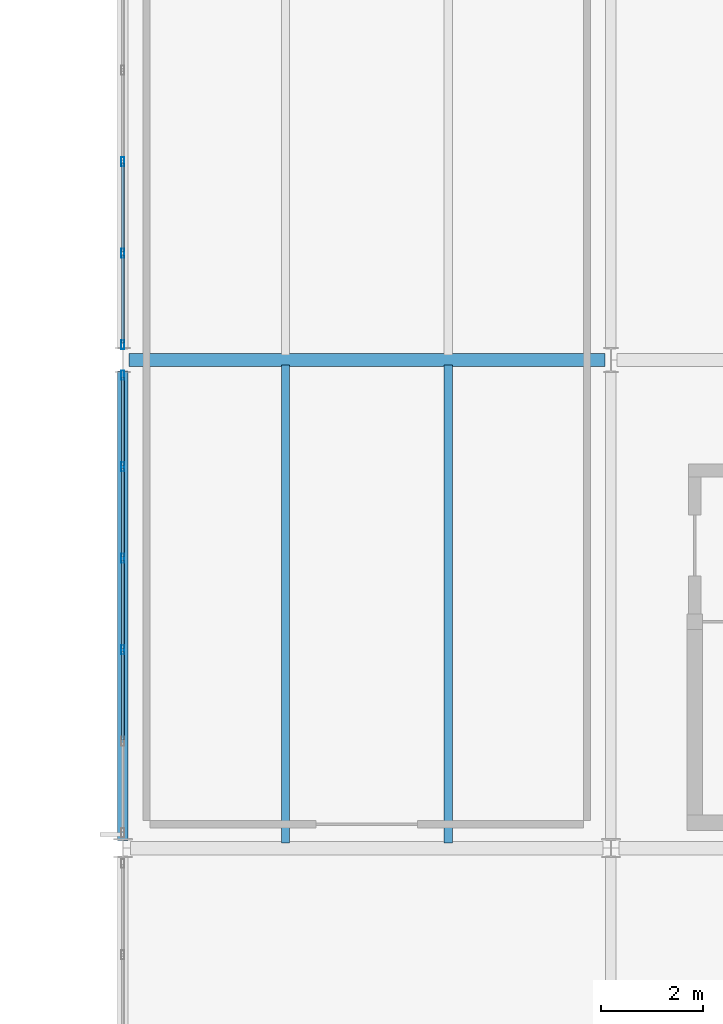
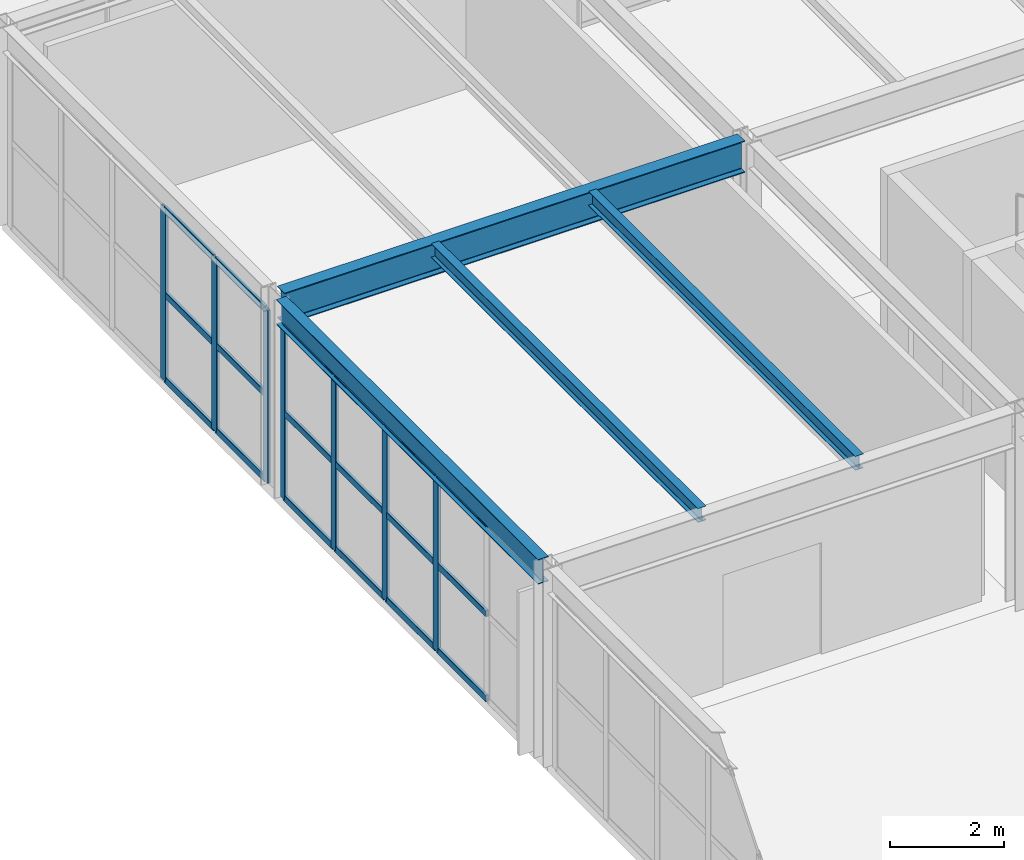
# One storey, part 86 of 170: 25 members, 4 beams, 2 elements without a shape of their own.
"""IFC4 building model written with IfcOpenShell, lengths in metres."""

from ifc_helpers import new_model, si_unit, direction, frame, origin, origin_2d, place, context, subcontext, project, spatial, hollow_rectangle, i_section, extrude, material, material_profile, profile_set, type_object, element, aggregate, save


model = new_model("IFC4")

# Units and contexts
model_context = context("Model", 3, precision=1e-05, world=origin(), true_north=direction((0.0, 1.0)))
body_context = subcontext(model_context, "Body", "Model", "MODEL_VIEW")
ifc_project = project(units=[si_unit("LENGTHUNIT", "METRE"), si_unit("AREAUNIT", "SQUARE_METRE"), si_unit("VOLUMEUNIT", "CUBIC_METRE"), si_unit("PLANEANGLEUNIT", "RADIAN"), si_unit("MASSUNIT", "GRAM", prefix="KILO")], contexts=[model_context])

# Site, building, storey
site_placement = place(None, origin())
site = spatial("IfcSite", under=ifc_project, at=site_placement, CompositionType="ELEMENT")
building_placement = place(site_placement, origin())
building = spatial("IfcBuilding", under=site, at=building_placement, Name="Coralgate Yard Interchange", CompositionType="ELEMENT")
storey_placement = place(building_placement, frame((0.0, 0.0, 6.0)))
storey = spatial("IfcBuildingStorey", under=building, at=storey_placement, Name="L01", CompositionType="ELEMENT", Elevation=6.0)

# Beams
ifc_material_1 = material(Name="Structural steel S355J2", Category="steel")
ifc_material_profile_1 = material_profile(ifc_material_1, i_section(OverallWidth=0.209228515625, OverallDepth=0.533203125, WebThickness=0.010009765625, FlangeThickness=0.015625, FilletRadius=0.0126953125, at=origin_2d()), Name="UB 533x210x92")
ifc_profile_set_1 = profile_set([ifc_material_profile_1], Name="Structural steel S355J2")
beam_type_1 = type_object("IfcBeamType", Name="BM-SB-1", PredefinedType="BEAM", material=ifc_profile_set_1)
beam_1_placement = place(storey_placement, frame((38.39990234375, 76.9541015625, 3.9833984375), z_axis=(0.0, 1.0, 0.0), x_axis=(-1.0, 0.0, 0.0)))
element("IfcBeam", 1, at=beam_1_placement, inside=storey, type_object=beam_type_1, Name="L01 primary grid girder X4 Y8-9", PredefinedType="BEAM", context=body_context, shape_type="SweptSolid", body=[
    extrude(i_section(OverallWidth=0.209228515625, OverallDepth=0.533203125, WebThickness=0.010009765625, FlangeThickness=0.015625, FilletRadius=0.0126953125, at=origin_2d()), origin(), (0.0, 0.0, 1.0), 9.225830078125),
])
ifc_material_profile_2 = material_profile(ifc_material_1, i_section(OverallWidth=0.253662109375, OverallDepth=0.68359375, WebThickness=0.012451171875, FlangeThickness=0.01904296875, FilletRadius=0.01513671875, at=origin_2d()), Name="UB 686x254x140")
ifc_profile_set_2 = profile_set([ifc_material_profile_2], Name="Structural steel S355J2")
beam_type_2 = type_object("IfcBeamType", Name="BM-SG-4", PredefinedType="BEAM", material=ifc_profile_set_2)
beam_2_placement = place(storey_placement, frame((38.52001953125, 86.39990234375, 3.908203125), z_axis=(1.0, 0.0, 0.0), x_axis=(0.0, 1.0, 0.0)))
element("IfcBeam", 2, at=beam_2_placement, inside=storey, type_object=beam_type_2, Name="L01 primary grid beam Y9 X4-5", PredefinedType="BEAM", context=body_context, shape_type="SweptSolid", body=[
    extrude(i_section(OverallWidth=0.253662109375, OverallDepth=0.68359375, WebThickness=0.012451171875, FlangeThickness=0.01904296875, FilletRadius=0.01513671875, at=origin_2d()), origin(), (0.0, 0.0, 1.0), 9.35986328125),
])
ifc_material_profile_3 = material_profile(ifc_material_1, i_section(OverallWidth=0.1650390625, OverallDepth=0.303466796875, WebThickness=0.006103515625, FlangeThickness=0.01025390625, FilletRadius=0.0087890625, at=origin_2d()), Name="UB 305x165x40")
ifc_profile_set_3 = profile_set([ifc_material_profile_3], Name="Structural steel S355J2")
beam_type_3 = type_object("IfcBeamType", Name="BM-SJ-1", PredefinedType="JOIST", material=ifc_profile_set_3)
for number, where, z_axis, x_axis, name in (
    (3, (41.60009765625, 76.9033203125, 4.098388671875), (0.0, 1.0, 0.0), (-1.0, 0.0, 0.0), "L01 composite floor joist 4-8-1"),
    (4, (44.800048828125, 76.9033203125, 4.098388671875), (0.0, 1.0, 0.0), (-1.0, 0.0, 0.0), "L01 composite floor joist 4-8-2"),
):
    element("IfcBeam", number, at=place(storey_placement, frame(where, z_axis=z_axis, x_axis=x_axis)), inside=storey, type_object=beam_type_3, Name=name, PredefinedType="JOIST", context=body_context, shape_type="SweptSolid", body=[
        extrude(i_section(OverallWidth=0.1650390625, OverallDepth=0.303466796875, WebThickness=0.006103515625, FlangeThickness=0.01025390625, FilletRadius=0.0087890625, at=origin_2d()), origin(), (0.0, 0.0, 1.0), 9.399658203125),
    ])

# Curtain wall, members
ifc_material_2 = material(Name="Anodised coastal aluminium and solar-control low-E glass", Category="aluminium")
curtain_wall_type_1 = type_object("IfcCurtainWallType", Name="CW-CW-L01-B", PredefinedType="NOTDEFINED", material=ifc_material_2)
curtain_wall_1_placement = place(storey_placement, origin())
curtain_wall_1 = element("IfcCurtainWall", 5, at=curtain_wall_1_placement, inside=storey, type_object=curtain_wall_type_1, Name="L01 unitised curtain wall CW-L01-W-04-08", PredefinedType="NOTDEFINED")
ifc_material_3 = material(Name="Anodised coastal aluminium 6063-T6", Category="aluminium")
ifc_material_profile_4 = material_profile(ifc_material_3, hollow_rectangle(XDim=0.06005859375, YDim=0.179931640625, WallThickness=0.00390625, InnerFilletRadius=0.00390625, OuterFilletRadius=0.008056640625, at=origin_2d()), Name="ALU 60x180x4")
ifc_profile_set_4 = profile_set([ifc_material_profile_4], Name="Anodised coastal aluminium 6063-T6")
member_type_1 = type_object("IfcMemberType", Name="MB-MUL-180", PredefinedType="MULLION", material=ifc_profile_set_4)
member_1_placement = place(storey_placement, frame((38.39990234375, 80.699951171875, 0.0), z_axis=(0.0, 0.0, 1.0), x_axis=(1.0, 0.0, 0.0)))
member_1 = element("IfcMember", 6, at=member_1_placement, type_object=member_type_1, Name="CW-L01-W-04-08 vertical mullion 3", PredefinedType="MULLION", context=body_context, shape_type="SweptSolid", body=[
    extrude(hollow_rectangle(XDim=0.06005859375, YDim=0.179931640625, WallThickness=0.00390625, InnerFilletRadius=0.00390625, OuterFilletRadius=0.008056640625, at=origin_2d()), origin(), (0.0, 0.0, 1.0), 3.716796875),
])
member_2_placement = place(storey_placement, frame((38.39990234375, 82.5, 0.0), z_axis=(0.0, 0.0, 1.0), x_axis=(1.0, 0.0, 0.0)))
member_2 = element("IfcMember", 7, at=member_2_placement, type_object=member_type_1, Name="CW-L01-W-04-08 vertical mullion 4", PredefinedType="MULLION", context=body_context, shape_type="SweptSolid", body=[
    extrude(hollow_rectangle(XDim=0.06005859375, YDim=0.179931640625, WallThickness=0.00390625, InnerFilletRadius=0.00390625, OuterFilletRadius=0.008056640625, at=origin_2d()), origin(), (0.0, 0.0, 1.0), 3.716796875),
])
member_3_placement = place(storey_placement, frame((38.39990234375, 84.300048828125, 0.0), z_axis=(0.0, 0.0, 1.0), x_axis=(1.0, 0.0, 0.0)))
member_3 = element("IfcMember", 8, at=member_3_placement, type_object=member_type_1, Name="CW-L01-W-04-08 vertical mullion 5", PredefinedType="MULLION", context=body_context, shape_type="SweptSolid", body=[
    extrude(hollow_rectangle(XDim=0.06005859375, YDim=0.179931640625, WallThickness=0.00390625, InnerFilletRadius=0.00390625, OuterFilletRadius=0.008056640625, at=origin_2d()), origin(), (0.0, 0.0, 1.0), 3.716796875),
])
member_4_placement = place(storey_placement, frame((38.39990234375, 86.10009765625, 0.0), z_axis=(0.0, 0.0, 1.0), x_axis=(1.0, 0.0, 0.0)))
member_4 = element("IfcMember", 9, at=member_4_placement, type_object=member_type_1, Name="CW-L01-W-04-08 vertical mullion 6", PredefinedType="MULLION", context=body_context, shape_type="SweptSolid", body=[
    extrude(hollow_rectangle(XDim=0.06005859375, YDim=0.179931640625, WallThickness=0.00390625, InnerFilletRadius=0.00390625, OuterFilletRadius=0.008056640625, at=origin_2d()), origin(), (0.0, 0.0, 1.0), 3.716796875),
])

curtain_wall_type_2 = type_object("IfcCurtainWallType", Name="CW-CW-L01-A", PredefinedType="NOTDEFINED", material=ifc_material_2)
curtain_wall_2_placement = place(storey_placement, origin())
curtain_wall_2 = element("IfcCurtainWall", 10, at=curtain_wall_2_placement, inside=storey, type_object=curtain_wall_type_2, Name="L01 unitised curtain wall CW-L01-W-04-09", PredefinedType="NOTDEFINED")
member_5_placement = place(storey_placement, frame((38.39990234375, 86.699951171875, 0.0), z_axis=(0.0, 0.0, 1.0), x_axis=(1.0, 0.0, 0.0)))
member_5 = element("IfcMember", 11, at=member_5_placement, type_object=member_type_1, Name="CW-L01-W-04-09 vertical mullion 1", PredefinedType="MULLION", context=body_context, shape_type="SweptSolid", body=[
    extrude(hollow_rectangle(XDim=0.06005859375, YDim=0.179931640625, WallThickness=0.00390625, InnerFilletRadius=0.00390625, OuterFilletRadius=0.008056640625, at=origin_2d()), origin(), (0.0, 0.0, 1.0), 3.716796875),
])
member_6_placement = place(storey_placement, frame((38.39990234375, 88.5, 0.0), z_axis=(0.0, 0.0, 1.0), x_axis=(1.0, 0.0, 0.0)))
member_6 = element("IfcMember", 12, at=member_6_placement, type_object=member_type_1, Name="CW-L01-W-04-09 vertical mullion 2", PredefinedType="MULLION", context=body_context, shape_type="SweptSolid", body=[
    extrude(hollow_rectangle(XDim=0.06005859375, YDim=0.179931640625, WallThickness=0.00390625, InnerFilletRadius=0.00390625, OuterFilletRadius=0.008056640625, at=origin_2d()), origin(), (0.0, 0.0, 1.0), 3.716796875),
])
member_7_placement = place(storey_placement, frame((38.39990234375, 90.300048828125, 0.0), z_axis=(0.0, 0.0, 1.0), x_axis=(1.0, 0.0, 0.0)))
member_7 = element("IfcMember", 13, at=member_7_placement, type_object=member_type_1, Name="CW-L01-W-04-09 vertical mullion 3", PredefinedType="MULLION", context=body_context, shape_type="SweptSolid", body=[
    extrude(hollow_rectangle(XDim=0.06005859375, YDim=0.179931640625, WallThickness=0.00390625, InnerFilletRadius=0.00390625, OuterFilletRadius=0.008056640625, at=origin_2d()), origin(), (0.0, 0.0, 1.0), 3.716796875),
])

# Member
ifc_material_profile_5 = material_profile(ifc_material_3, hollow_rectangle(XDim=0.06005859375, YDim=0.139892578125, WallThickness=0.00341796875, InnerFilletRadius=0.00341796875, OuterFilletRadius=0.007080078125, at=origin_2d()), Name="ALU 60x140x3.5")
ifc_profile_set_5 = profile_set([ifc_material_profile_5], Name="Anodised coastal aluminium 6063-T6")
member_type_2 = type_object("IfcMemberType", Name="MB-TRN-140", PredefinedType="USERDEFINED", material=ifc_profile_set_5)
member_8_placement = place(storey_placement, frame((38.39990234375, 78.929931640625, 0.034912109375), z_axis=(0.0, 1.0, 0.0), x_axis=(-1.0, 0.0, 0.0)))
member_8 = element("IfcMember", 14, at=member_8_placement, type_object=member_type_2, Name="CW-L01-W-04-08 horizontal transom 2-1", ObjectType="TRANSOM", PredefinedType="USERDEFINED", context=body_context, shape_type="SweptSolid", body=[
    extrude(hollow_rectangle(XDim=0.06005859375, YDim=0.139892578125, WallThickness=0.00341796875, InnerFilletRadius=0.00341796875, OuterFilletRadius=0.007080078125, at=origin_2d()), origin(), (0.0, 0.0, 1.0), 1.739990234375),
])

member_9_placement = place(storey_placement, frame((38.39990234375, 78.929931640625, 1.8583984375), z_axis=(0.0, 1.0, 0.0), x_axis=(-1.0, 0.0, 0.0)))
member_9 = element("IfcMember", 15, at=member_9_placement, type_object=member_type_2, Name="CW-L01-W-04-08 horizontal transom 2-2", ObjectType="TRANSOM", PredefinedType="USERDEFINED", context=body_context, shape_type="SweptSolid", body=[
    extrude(hollow_rectangle(XDim=0.06005859375, YDim=0.139892578125, WallThickness=0.00341796875, InnerFilletRadius=0.00341796875, OuterFilletRadius=0.007080078125, at=origin_2d()), origin(), (0.0, 0.0, 1.0), 1.739990234375),
])

member_10_placement = place(storey_placement, frame((38.39990234375, 78.929931640625, 3.681884765625), z_axis=(0.0, 1.0, 0.0), x_axis=(-1.0, 0.0, 0.0)))
member_10 = element("IfcMember", 16, at=member_10_placement, type_object=member_type_2, Name="CW-L01-W-04-08 horizontal transom 2-3", ObjectType="TRANSOM", PredefinedType="USERDEFINED", context=body_context, shape_type="SweptSolid", body=[
    extrude(hollow_rectangle(XDim=0.06005859375, YDim=0.139892578125, WallThickness=0.00341796875, InnerFilletRadius=0.00341796875, OuterFilletRadius=0.007080078125, at=origin_2d()), origin(), (0.0, 0.0, 1.0), 1.739990234375),
])

member_11_placement = place(storey_placement, frame((38.39990234375, 80.72998046875, 0.034912109375), z_axis=(0.0, 1.0, 0.0), x_axis=(-1.0, 0.0, 0.0)))
member_11 = element("IfcMember", 17, at=member_11_placement, type_object=member_type_2, Name="CW-L01-W-04-08 horizontal transom 3-1", ObjectType="TRANSOM", PredefinedType="USERDEFINED", context=body_context, shape_type="SweptSolid", body=[
    extrude(hollow_rectangle(XDim=0.06005859375, YDim=0.139892578125, WallThickness=0.00341796875, InnerFilletRadius=0.00341796875, OuterFilletRadius=0.007080078125, at=origin_2d()), origin(), (0.0, 0.0, 1.0), 1.739990234375),
])

member_12_placement = place(storey_placement, frame((38.39990234375, 80.72998046875, 1.8583984375), z_axis=(0.0, 1.0, 0.0), x_axis=(-1.0, 0.0, 0.0)))
member_12 = element("IfcMember", 18, at=member_12_placement, type_object=member_type_2, Name="CW-L01-W-04-08 horizontal transom 3-2", ObjectType="TRANSOM", PredefinedType="USERDEFINED", context=body_context, shape_type="SweptSolid", body=[
    extrude(hollow_rectangle(XDim=0.06005859375, YDim=0.139892578125, WallThickness=0.00341796875, InnerFilletRadius=0.00341796875, OuterFilletRadius=0.007080078125, at=origin_2d()), origin(), (0.0, 0.0, 1.0), 1.739990234375),
])

member_13_placement = place(storey_placement, frame((38.39990234375, 80.72998046875, 3.681884765625), z_axis=(0.0, 1.0, 0.0), x_axis=(-1.0, 0.0, 0.0)))
member_13 = element("IfcMember", 19, at=member_13_placement, type_object=member_type_2, Name="CW-L01-W-04-08 horizontal transom 3-3", ObjectType="TRANSOM", PredefinedType="USERDEFINED", context=body_context, shape_type="SweptSolid", body=[
    extrude(hollow_rectangle(XDim=0.06005859375, YDim=0.139892578125, WallThickness=0.00341796875, InnerFilletRadius=0.00341796875, OuterFilletRadius=0.007080078125, at=origin_2d()), origin(), (0.0, 0.0, 1.0), 1.739990234375),
])

member_14_placement = place(storey_placement, frame((38.39990234375, 82.530029296875, 0.034912109375), z_axis=(0.0, 1.0, 0.0), x_axis=(-1.0, 0.0, 0.0)))
member_14 = element("IfcMember", 20, at=member_14_placement, type_object=member_type_2, Name="CW-L01-W-04-08 horizontal transom 4-1", ObjectType="TRANSOM", PredefinedType="USERDEFINED", context=body_context, shape_type="SweptSolid", body=[
    extrude(hollow_rectangle(XDim=0.06005859375, YDim=0.139892578125, WallThickness=0.00341796875, InnerFilletRadius=0.00341796875, OuterFilletRadius=0.007080078125, at=origin_2d()), origin(), (0.0, 0.0, 1.0), 1.739990234375),
])

member_15_placement = place(storey_placement, frame((38.39990234375, 82.530029296875, 1.8583984375), z_axis=(0.0, 1.0, 0.0), x_axis=(-1.0, 0.0, 0.0)))
member_15 = element("IfcMember", 21, at=member_15_placement, type_object=member_type_2, Name="CW-L01-W-04-08 horizontal transom 4-2", ObjectType="TRANSOM", PredefinedType="USERDEFINED", context=body_context, shape_type="SweptSolid", body=[
    extrude(hollow_rectangle(XDim=0.06005859375, YDim=0.139892578125, WallThickness=0.00341796875, InnerFilletRadius=0.00341796875, OuterFilletRadius=0.007080078125, at=origin_2d()), origin(), (0.0, 0.0, 1.0), 1.739990234375),
])

member_16_placement = place(storey_placement, frame((38.39990234375, 82.530029296875, 3.681884765625), z_axis=(0.0, 1.0, 0.0), x_axis=(-1.0, 0.0, 0.0)))
member_16 = element("IfcMember", 22, at=member_16_placement, type_object=member_type_2, Name="CW-L01-W-04-08 horizontal transom 4-3", ObjectType="TRANSOM", PredefinedType="USERDEFINED", context=body_context, shape_type="SweptSolid", body=[
    extrude(hollow_rectangle(XDim=0.06005859375, YDim=0.139892578125, WallThickness=0.00341796875, InnerFilletRadius=0.00341796875, OuterFilletRadius=0.007080078125, at=origin_2d()), origin(), (0.0, 0.0, 1.0), 1.739990234375),
])

member_17_placement = place(storey_placement, frame((38.39990234375, 84.330078125, 0.034912109375), z_axis=(0.0, 1.0, 0.0), x_axis=(-1.0, 0.0, 0.0)))
member_17 = element("IfcMember", 23, at=member_17_placement, type_object=member_type_2, Name="CW-L01-W-04-08 horizontal transom 5-1", ObjectType="TRANSOM", PredefinedType="USERDEFINED", context=body_context, shape_type="SweptSolid", body=[
    extrude(hollow_rectangle(XDim=0.06005859375, YDim=0.139892578125, WallThickness=0.00341796875, InnerFilletRadius=0.00341796875, OuterFilletRadius=0.007080078125, at=origin_2d()), origin(), (0.0, 0.0, 1.0), 1.739990234375),
])

member_18_placement = place(storey_placement, frame((38.39990234375, 84.330078125, 1.8583984375), z_axis=(0.0, 1.0, 0.0), x_axis=(-1.0, 0.0, 0.0)))
member_18 = element("IfcMember", 24, at=member_18_placement, type_object=member_type_2, Name="CW-L01-W-04-08 horizontal transom 5-2", ObjectType="TRANSOM", PredefinedType="USERDEFINED", context=body_context, shape_type="SweptSolid", body=[
    extrude(hollow_rectangle(XDim=0.06005859375, YDim=0.139892578125, WallThickness=0.00341796875, InnerFilletRadius=0.00341796875, OuterFilletRadius=0.007080078125, at=origin_2d()), origin(), (0.0, 0.0, 1.0), 1.739990234375),
])

member_19_placement = place(storey_placement, frame((38.39990234375, 84.330078125, 3.681884765625), z_axis=(0.0, 1.0, 0.0), x_axis=(-1.0, 0.0, 0.0)))
member_19 = element("IfcMember", 25, at=member_19_placement, type_object=member_type_2, Name="CW-L01-W-04-08 horizontal transom 5-3", ObjectType="TRANSOM", PredefinedType="USERDEFINED", context=body_context, shape_type="SweptSolid", body=[
    extrude(hollow_rectangle(XDim=0.06005859375, YDim=0.139892578125, WallThickness=0.00341796875, InnerFilletRadius=0.00341796875, OuterFilletRadius=0.007080078125, at=origin_2d()), origin(), (0.0, 0.0, 1.0), 1.739990234375),
])

aggregate(curtain_wall_1, [member_1, member_2, member_3, member_4, member_8, member_9, member_10, member_11, member_12, member_13, member_14, member_15, member_16, member_17, member_18, member_19])

member_20_placement = place(storey_placement, frame((38.39990234375, 86.72998046875, 0.034912109375), z_axis=(0.0, 1.0, 0.0), x_axis=(-1.0, 0.0, 0.0)))
member_20 = element("IfcMember", 26, at=member_20_placement, type_object=member_type_2, Name="CW-L01-W-04-09 horizontal transom 1-1", ObjectType="TRANSOM", PredefinedType="USERDEFINED", context=body_context, shape_type="SweptSolid", body=[
    extrude(hollow_rectangle(XDim=0.06005859375, YDim=0.139892578125, WallThickness=0.00341796875, InnerFilletRadius=0.00341796875, OuterFilletRadius=0.007080078125, at=origin_2d()), origin(), (0.0, 0.0, 1.0), 1.739990234375),
])

member_21_placement = place(storey_placement, frame((38.39990234375, 86.72998046875, 1.8583984375), z_axis=(0.0, 1.0, 0.0), x_axis=(-1.0, 0.0, 0.0)))
member_21 = element("IfcMember", 27, at=member_21_placement, type_object=member_type_2, Name="CW-L01-W-04-09 horizontal transom 1-2", ObjectType="TRANSOM", PredefinedType="USERDEFINED", context=body_context, shape_type="SweptSolid", body=[
    extrude(hollow_rectangle(XDim=0.06005859375, YDim=0.139892578125, WallThickness=0.00341796875, InnerFilletRadius=0.00341796875, OuterFilletRadius=0.007080078125, at=origin_2d()), origin(), (0.0, 0.0, 1.0), 1.739990234375),
])

member_22_placement = place(storey_placement, frame((38.39990234375, 86.72998046875, 3.681884765625), z_axis=(0.0, 1.0, 0.0), x_axis=(-1.0, 0.0, 0.0)))
member_22 = element("IfcMember", 28, at=member_22_placement, type_object=member_type_2, Name="CW-L01-W-04-09 horizontal transom 1-3", ObjectType="TRANSOM", PredefinedType="USERDEFINED", context=body_context, shape_type="SweptSolid", body=[
    extrude(hollow_rectangle(XDim=0.06005859375, YDim=0.139892578125, WallThickness=0.00341796875, InnerFilletRadius=0.00341796875, OuterFilletRadius=0.007080078125, at=origin_2d()), origin(), (0.0, 0.0, 1.0), 1.739990234375),
])

member_23_placement = place(storey_placement, frame((38.39990234375, 88.530029296875, 0.034912109375), z_axis=(0.0, 1.0, 0.0), x_axis=(-1.0, 0.0, 0.0)))
member_23 = element("IfcMember", 29, at=member_23_placement, type_object=member_type_2, Name="CW-L01-W-04-09 horizontal transom 2-1", ObjectType="TRANSOM", PredefinedType="USERDEFINED", context=body_context, shape_type="SweptSolid", body=[
    extrude(hollow_rectangle(XDim=0.06005859375, YDim=0.139892578125, WallThickness=0.00341796875, InnerFilletRadius=0.00341796875, OuterFilletRadius=0.007080078125, at=origin_2d()), origin(), (0.0, 0.0, 1.0), 1.739990234375),
])

member_24_placement = place(storey_placement, frame((38.39990234375, 88.530029296875, 1.8583984375), z_axis=(0.0, 1.0, 0.0), x_axis=(-1.0, 0.0, 0.0)))
member_24 = element("IfcMember", 30, at=member_24_placement, type_object=member_type_2, Name="CW-L01-W-04-09 horizontal transom 2-2", ObjectType="TRANSOM", PredefinedType="USERDEFINED", context=body_context, shape_type="SweptSolid", body=[
    extrude(hollow_rectangle(XDim=0.06005859375, YDim=0.139892578125, WallThickness=0.00341796875, InnerFilletRadius=0.00341796875, OuterFilletRadius=0.007080078125, at=origin_2d()), origin(), (0.0, 0.0, 1.0), 1.739990234375),
])

member_25_placement = place(storey_placement, frame((38.39990234375, 88.530029296875, 3.681884765625), z_axis=(0.0, 1.0, 0.0), x_axis=(-1.0, 0.0, 0.0)))
member_25 = element("IfcMember", 31, at=member_25_placement, type_object=member_type_2, Name="CW-L01-W-04-09 horizontal transom 2-3", ObjectType="TRANSOM", PredefinedType="USERDEFINED", context=body_context, shape_type="SweptSolid", body=[
    extrude(hollow_rectangle(XDim=0.06005859375, YDim=0.139892578125, WallThickness=0.00341796875, InnerFilletRadius=0.00341796875, OuterFilletRadius=0.007080078125, at=origin_2d()), origin(), (0.0, 0.0, 1.0), 1.739990234375),
])

aggregate(curtain_wall_2, [member_5, member_6, member_7, member_20, member_21, member_22, member_23, member_24, member_25])

save(model, "model.ifc")
